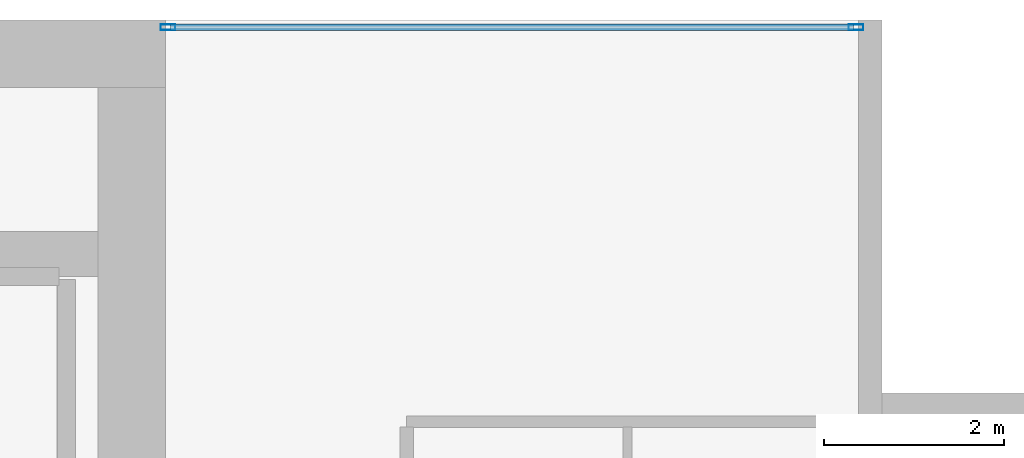
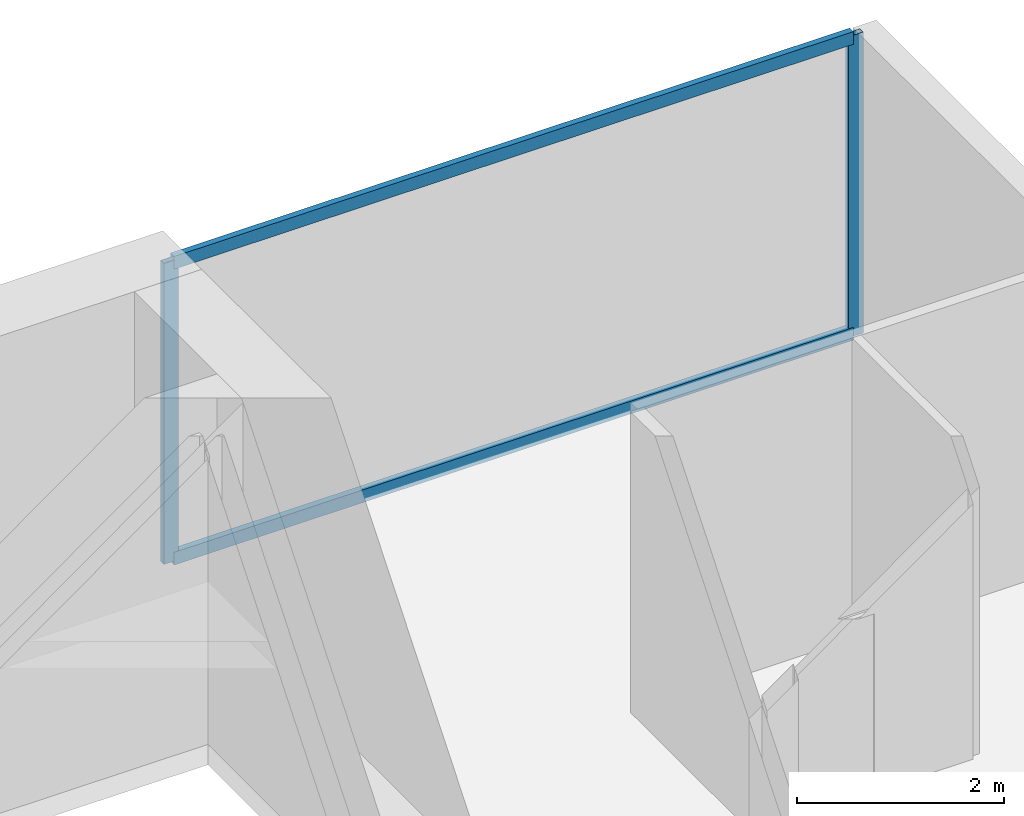
# One storey, part 25 of 32: 4 members, 1 element without a shape of its own.
"""IFC4 building model written with IfcOpenShell, lengths in metres."""

from ifc_helpers import new_model, si_unit, direction, frame, origin, origin_2d, place, context, subcontext, project, spatial, hollow_rectangle, extrude, material, layer, layer_set, material_profile, profile_set, type_object, element, aggregate, save


model = new_model("IFC4")

# Units and contexts
model_context = context("Model", 3, precision=1e-05, world=origin(), true_north=direction((0.0, 1.0)))
body_context = subcontext(model_context, "Body", "Model", "MODEL_VIEW")
ifc_project = project(units=[si_unit("LENGTHUNIT", "METRE"), si_unit("AREAUNIT", "SQUARE_METRE"), si_unit("VOLUMEUNIT", "CUBIC_METRE"), si_unit("PLANEANGLEUNIT", "RADIAN"), si_unit("MASSUNIT", "GRAM", prefix="KILO")], contexts=[model_context])

# Site, building, storey
site_placement = place(None, origin())
site = spatial("IfcSite", under=ifc_project, at=site_placement, CompositionType="ELEMENT")
building_placement = place(site_placement, origin())
building = spatial("IfcBuilding", under=site, at=building_placement, Name="Maruvema Waterfront Hotel and Observation Tower", CompositionType="ELEMENT")
storey_placement = place(building_placement, frame((0.0, 0.0, 223.64990234375)))
storey = spatial("IfcBuildingStorey", under=building, at=storey_placement, Name="L55", CompositionType="ELEMENT", Elevation=223.64990234375)

# Curtain wall, members
ifc_material_1 = material(Name="Anodised bronze aluminium and solar-control low-E IGU", Category="aluminium")
ifc_layer = layer(ifc_material_1, 0.159912109375, Name="Zone 2 Amber Inner Thermal Curtain Wall System CW-03")
ifc_layer_set = layer_set([ifc_layer], Name="Anodised bronze aluminium and solar-control low-E IGU")
curtain_wall_type = type_object("IfcCurtainWallType", Name="Zone 2 Amber Inner Thermal Curtain Wall System CW-03", PredefinedType="USERDEFINED", material=ifc_layer_set)
curtain_wall_placement = place(storey_placement, origin())
curtain_wall = element("IfcCurtainWall", 1, at=curtain_wall_placement, inside=storey, type_object=curtain_wall_type, Name="L55 Curtain Wall CW-L55-NE", ObjectType="UNITISED CURTAIN WALL", PredefinedType="USERDEFINED")
ifc_material_2 = material(Name="Anodised architectural bronze aluminium", Category="aluminium")
ifc_material_profile_1 = material_profile(ifc_material_2, hollow_rectangle(XDim=0.070068359375, YDim=0.14990234375, WallThickness=0.00390625, at=origin_2d()), Name="ALU-T70x150")
ifc_profile_set_1 = profile_set([ifc_material_profile_1], Name="Anodised architectural bronze aluminium")
member_type_1 = type_object("IfcMemberType", Name="Curtain Wall Horizontal Transom ALU-T70x150", PredefinedType="USERDEFINED", material=ifc_profile_set_1)
member_1_placement = place(storey_placement, frame((58.0400390625, 53.919921875, 0.030029296875), z_axis=(-1.0, 0.0, 0.0), x_axis=(0.0, -1.0, 0.0)))
member_1 = element("IfcMember", 2, at=member_1_placement, type_object=member_type_1, Name="CW-03 transom 1.1", ObjectType="TRANSOM", PredefinedType="USERDEFINED", context=body_context, shape_type="SweptSolid", body=[
    extrude(hollow_rectangle(XDim=0.070068359375, YDim=0.14990234375, WallThickness=0.00390625, at=origin_2d()), origin(), (0.0, 0.0, 1.0), 7.580078125),
])
member_2_placement = place(storey_placement, frame((58.0400390625, 53.919921875, 3.52001953125), z_axis=(-1.0, 0.0, 0.0), x_axis=(0.0, -1.0, 0.0)))
member_2 = element("IfcMember", 3, at=member_2_placement, type_object=member_type_1, Name="CW-03 transom 1.2", ObjectType="TRANSOM", PredefinedType="USERDEFINED", context=body_context, shape_type="SweptSolid", body=[
    extrude(hollow_rectangle(XDim=0.070068359375, YDim=0.14990234375, WallThickness=0.00390625, at=origin_2d()), origin(), (0.0, 0.0, 1.0), 7.580078125),
])
ifc_material_3 = material(Name="Anodised architectural bronze aluminium", Category="aluminium")
ifc_material_profile_2 = material_profile(ifc_material_3, hollow_rectangle(XDim=0.06494140625, YDim=0.1650390625, WallThickness=0.00390625, at=origin_2d()), Name="ALU-M65x165")
ifc_profile_set_2 = profile_set([ifc_material_profile_2], Name="Anodised architectural bronze aluminium")
member_type_2 = type_object("IfcMemberType", Name="Curtain Wall Primary Mullion ALU-M65x165", PredefinedType="MULLION", material=ifc_profile_set_2)
member_3_placement = place(storey_placement, frame((58.070068359375, 53.919921875, 0.0), z_axis=(0.0, 0.0, 1.0), x_axis=(0.0, -1.0, 0.0)))
member_3 = element("IfcMember", 4, at=member_3_placement, type_object=member_type_2, Name="CW-03 mullion 1", PredefinedType="MULLION", context=body_context, shape_type="SweptSolid", body=[
    extrude(hollow_rectangle(XDim=0.06494140625, YDim=0.1650390625, WallThickness=0.00390625, at=origin_2d()), origin(), (0.0, 0.0, 1.0), 3.550048828125),
])
member_4_placement = place(storey_placement, frame((50.429931640625, 53.919921875, 0.0), z_axis=(0.0, 0.0, 1.0), x_axis=(0.0, -1.0, 0.0)))
member_4 = element("IfcMember", 5, at=member_4_placement, type_object=member_type_2, Name="CW-03 mullion 2", PredefinedType="MULLION", context=body_context, shape_type="SweptSolid", body=[
    extrude(hollow_rectangle(XDim=0.06494140625, YDim=0.1650390625, WallThickness=0.00390625, at=origin_2d()), origin(), (0.0, 0.0, 1.0), 3.550048828125),
])
aggregate(curtain_wall, [member_3, member_4, member_1, member_2])

save(model, "model.ifc")
